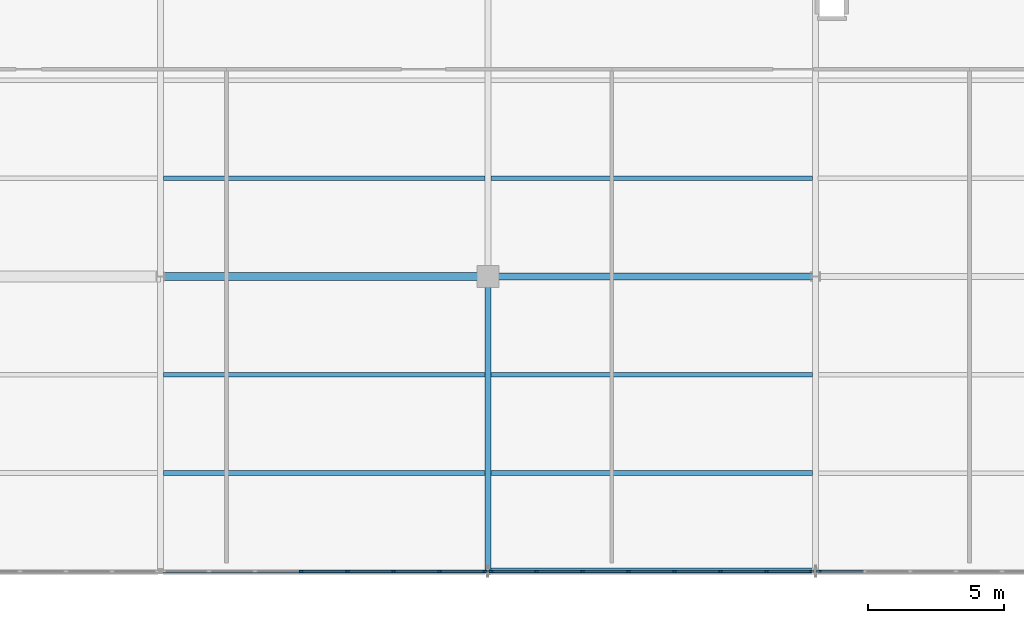
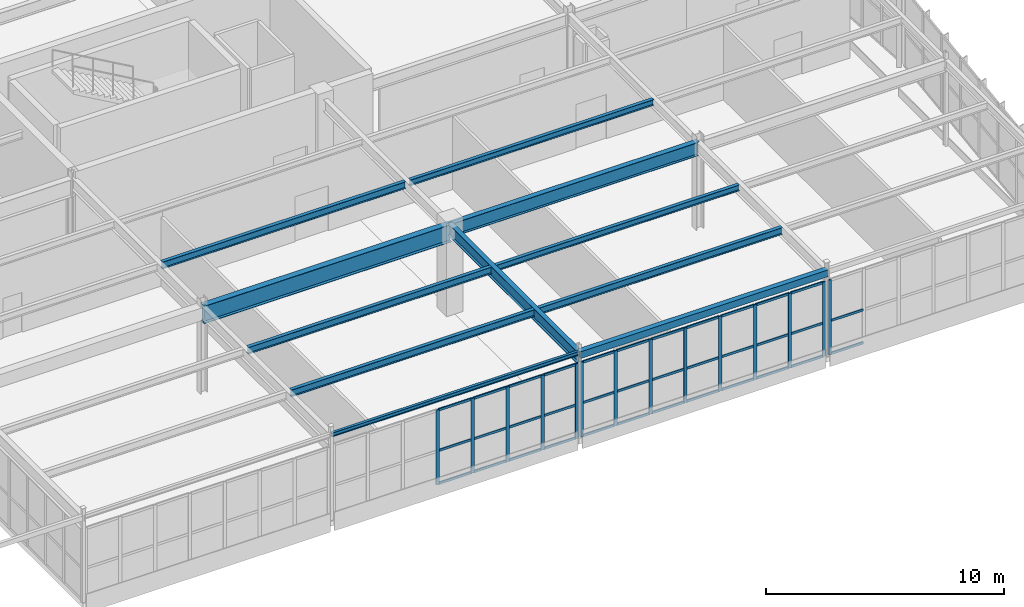
# One storey, part 110 of 226: 49 members, 11 beams, 3 elements without a shape of their own.
"""IFC4 building model written with IfcOpenShell, lengths in metres."""

import ifcopenshell
import ifcopenshell.guid

model = None  # the IFC model being written
_history = None  # IfcOwnerHistory: only IFC2X3 demands one
_inside = {}  # id of a spatial element -> (the spatial element, [elements in it])
_under = {}  # id of a project, library or spatial element -> (it, [spatial elements below it])
_declared = {}  # id of a project -> (the project, [libraries it declares])
_typed = {}  # id of a type object -> (the type object, [elements of that type])
_made_of = {}  # id of a material, layer set ... -> (it, [elements and type objects made of it])


def new_model(schema):
    """Start an empty IFC model of exactly this schema.

    Asked for "IFC4X3", IfcOpenShell would pick the latest addendum, in which some entities
    have other attributes; the version numbers below select the first issue.
    IFC2X3 requires an IfcOwnerHistory on every rooted entity: one is made here for all.
    """
    global model, _history
    if schema == "IFC4X3":
        model = ifcopenshell.file(schema_version=(4, 3, 0, 0))
    else:
        model = ifcopenshell.file(schema=schema)
    _inside.clear()
    _under.clear()
    _declared.clear()
    _typed.clear()
    _made_of.clear()
    _history = None
    if model.schema == "IFC2X3":
        org = make("IfcOrganization", Name="unknown")
        user = make(
            "IfcPersonAndOrganization",
            ThePerson=make("IfcPerson", FamilyName="unknown"),
            TheOrganization=org,
        )
        app = make(
            "IfcApplication",
            ApplicationDeveloper=org,
            Version="unknown",
            ApplicationFullName="unknown",
            ApplicationIdentifier="unknown",
        )
        _history = make(
            "IfcOwnerHistory",
            OwningUser=user,
            OwningApplication=app,
            ChangeAction="ADDED",
            CreationDate=0,
        )
    return model


def make(cls, **values):
    """One entity of the class cls with the attributes given. An attribute that is None is left unset."""
    return model.create_entity(
        cls, **{name: value for name, value in values.items() if value is not None}
    )


def rooted(cls, **values):
    """An entity with a GlobalId (a new one), such as an element, a storey or a relation."""
    return make(cls, GlobalId=ifcopenshell.guid.new(), OwnerHistory=_history, **values)


def si_unit(unit_type, name, prefix=None):
    """IfcSIUnit, for example si_unit("LENGTHUNIT", "METRE", prefix="MILLI")."""
    return make("IfcSIUnit", UnitType=unit_type, Prefix=prefix, Name=name)


def assignment(units):
    """IfcUnitAssignment: the units of a project."""
    return None if units is None else make("IfcUnitAssignment", Units=units)


def point(xyz):
    """IfcCartesianPoint."""
    return None if xyz is None else make("IfcCartesianPoint", Coordinates=xyz)


def direction(xyz):
    """IfcDirection."""
    return None if xyz is None else make("IfcDirection", DirectionRatios=xyz)


def frame(location, z_axis=None, x_axis=None):
    """IfcAxis2Placement3D, a coordinate frame: its origin and axes. An axis left out is left unset."""
    return make(
        "IfcAxis2Placement3D",
        Location=point(location),
        Axis=direction(z_axis),
        RefDirection=direction(x_axis),
    )


def frame_2d(location, x_axis=None):
    """IfcAxis2Placement2D, a coordinate frame in the plane: its origin and x axis."""
    return make(
        "IfcAxis2Placement2D", Location=point(location), RefDirection=direction(x_axis)
    )


def origin():
    """The frame at (0, 0, 0) with its axes left unset."""
    return frame((0.0, 0.0, 0.0))


def origin_2d():
    """The frame at (0, 0) in the plane with its x axis left unset."""
    return frame_2d((0.0, 0.0))


def place(relative_to, where):
    """IfcLocalPlacement: puts the frame where relative to a parent placement (None: the world)."""
    return make(
        "IfcLocalPlacement", PlacementRelTo=relative_to, RelativePlacement=where
    )


def context(
    kind, dimensions, precision=None, world=None, true_north=None, identifier=None
):
    """IfcGeometricRepresentationContext, for example the 3D "Model" context."""
    return make(
        "IfcGeometricRepresentationContext",
        ContextIdentifier=identifier,
        ContextType=kind,
        CoordinateSpaceDimension=dimensions,
        Precision=precision,
        WorldCoordinateSystem=world,
        TrueNorth=true_north,
    )


def subcontext(parent, identifier, kind, view, scale=None):
    """IfcGeometricRepresentationSubContext, for example "Body" below "Model"."""
    return make(
        "IfcGeometricRepresentationSubContext",
        ContextIdentifier=identifier,
        ContextType=kind,
        ParentContext=parent,
        TargetScale=scale,
        TargetView=view,
    )


def project(units=None, contexts=None):
    """IfcProject with its units and contexts."""
    return rooted(
        "IfcProject",
        Name="project",
        RepresentationContexts=contexts,
        UnitsInContext=assignment(units),
    )


def spatial(cls, under=None, at=None, **own):
    """A site, building, storey or space (cls), placed at a placement, below another one or the project."""
    s = rooted(cls, ObjectPlacement=at, **own)
    if under is not None:
        _under.setdefault(under.id(), (under, []))[1].append(s)
    return s


def profile(cls, at=None, kind="AREA", **sizes):
    """A parametric profile (cls). Its sizes go by their IFC names, for example OverallWidth=200.0."""
    return make(cls, ProfileType=kind, Position=at, **sizes)


def rectangle(**sizes):
    """IfcRectangleProfileDef."""
    return profile("IfcRectangleProfileDef", **sizes)


def hollow_rectangle(**sizes):
    """IfcRectangleHollowProfileDef."""
    return profile("IfcRectangleHollowProfileDef", **sizes)


def i_section(**sizes):
    """IfcIShapeProfileDef."""
    return profile("IfcIShapeProfileDef", **sizes)


def extrude(swept, where, along, depth):
    """IfcExtrudedAreaSolid: the profile swept, set in the frame where, extruded along a direction by depth."""
    return make(
        "IfcExtrudedAreaSolid",
        SweptArea=swept,
        Position=where,
        ExtrudedDirection=direction(along),
        Depth=depth,
    )


def shape(context_of_items, identifier, shape_type, items):
    """IfcShapeRepresentation: the items that make up one representation, for example the "Body"."""
    return make(
        "IfcShapeRepresentation",
        ContextOfItems=context_of_items,
        RepresentationIdentifier=identifier,
        RepresentationType=shape_type,
        Items=items,
    )


def material(Name=None, Category=None):
    """IfcMaterial."""
    return make("IfcMaterial", Name=Name, Category=Category)


def layer(
    of_material, thickness, ventilated=None, Name=None, Category=None, Priority=None
):
    """IfcMaterialLayer: one layer of a wall or slab, of a material (None: an air gap)."""
    return make(
        "IfcMaterialLayer",
        Material=of_material,
        LayerThickness=thickness,
        IsVentilated=ventilated,
        Name=Name,
        Category=Category,
        Priority=Priority,
    )


def layer_set(layers, Name=None):
    """IfcMaterialLayerSet."""
    return make("IfcMaterialLayerSet", MaterialLayers=layers, LayerSetName=Name)


def material_profile(
    of_material, cross_section, Name=None, Category=None, Priority=None
):
    """IfcMaterialProfile: a cross section and its material."""
    return make(
        "IfcMaterialProfile",
        Name=Name,
        Material=of_material,
        Profile=cross_section,
        Priority=Priority,
        Category=Category,
    )


def profile_set(profiles, Name=None, composite=None):
    """IfcMaterialProfileSet."""
    return make(
        "IfcMaterialProfileSet",
        Name=Name,
        MaterialProfiles=profiles,
        CompositeProfile=composite,
    )


def made_of(thing, what):
    """Note that an element or type object is made of a material, layer set ...; save() writes the relation."""
    if what is not None:
        _made_of.setdefault(what.id(), (what, []))[1].append(thing)
    return thing


def type_object(cls, material=None, **own):
    """A type object (cls), such as IfcWallType, which elements share."""
    return made_of(rooted(cls, **own), material)


def element(
    cls,
    number,
    at=None,
    inside=None,
    cuts=None,
    type_object=None,
    material=None,
    context=None,
    identifier="Body",
    shape_type=None,
    held_by="IfcProductDefinitionShape",
    body=None,
    shapes=None,
    **own,
):
    """One element of the class cls, such as IfcWall. Its Tag is "e" and its number.

    at: its placement. inside: the storey or other place that contains it. cuts: it is an
    opening in that element (IfcRelVoidsElement). A single representation is given by context,
    identifier, shape_type and body (its items); several are given by shapes. held_by: the class
    of the entity that holds the representations. save() writes the other relations.
    """
    e = rooted(cls, Tag="e%d" % number, ObjectPlacement=at, **own)
    if body is not None:
        shapes = [shape(context, identifier, shape_type, body)]
    if shapes is not None:
        e.Representation = make(held_by, Representations=shapes)
    if inside is not None:
        _inside.setdefault(inside.id(), (inside, []))[1].append(e)
    if cuts is not None:
        rooted(
            "IfcRelVoidsElement", RelatingBuildingElement=cuts, RelatedOpeningElement=e
        )
    if type_object is not None:
        _typed.setdefault(type_object.id(), (type_object, []))[1].append(e)
    return made_of(e, material)


def aggregate(whole, parts):
    """IfcRelAggregates: a whole, such as a stair, and the parts it consists of."""
    return rooted("IfcRelAggregates", RelatingObject=whole, RelatedObjects=parts)


def save(model, path):
    """Write the relations noted so far, then the file.

    IfcRelAggregates (storeys below a building ...), IfcRelContainedInSpatialStructure (elements
    in a storey), IfcRelDefinesByType, IfcRelAssociatesMaterial and IfcRelDeclares: one each for
    every whole, place, type object, material and project.
    """
    for whole, parts in _under.values():
        aggregate(whole, parts)
    for where, things in _inside.values():
        rooted(
            "IfcRelContainedInSpatialStructure",
            RelatedElements=things,
            RelatingStructure=where,
        )
    for kind, things in _typed.values():
        rooted("IfcRelDefinesByType", RelatedObjects=things, RelatingType=kind)
    for what, things in _made_of.values():
        rooted("IfcRelAssociatesMaterial", RelatedObjects=things, RelatingMaterial=what)
    for by, libraries in _declared.values():
        rooted("IfcRelDeclares", RelatingContext=by, RelatedDefinitions=libraries)
    model.write(path)


model = new_model("IFC4")

# Units and contexts
model_context = context("Model", 3, precision=1e-05, world=origin(), true_north=direction((0.0, 1.0)))
body_context = subcontext(model_context, "Body", "Model", "MODEL_VIEW")
ifc_project = project(units=[si_unit("LENGTHUNIT", "METRE"), si_unit("AREAUNIT", "SQUARE_METRE"), si_unit("VOLUMEUNIT", "CUBIC_METRE"), si_unit("PLANEANGLEUNIT", "RADIAN"), si_unit("MASSUNIT", "GRAM", prefix="KILO")], contexts=[model_context])

# Site, building, storey
site_placement = place(None, origin())
site = spatial("IfcSite", under=ifc_project, at=site_placement, CompositionType="ELEMENT")
building_placement = place(site_placement, origin())
building = spatial("IfcBuilding", under=site, at=building_placement, Name="Tarnwether General Hospital", CompositionType="ELEMENT")
storey_placement = place(building_placement, frame((0.0, 0.0, 4.800048828125)))
storey = spatial("IfcBuildingStorey", under=building, at=storey_placement, Name="L01", CompositionType="ELEMENT", Elevation=4.800048828125)

# Beams
ifc_material_1 = material(Name="Steel Grade 350 (350 MPa)", Category="steel")
ifc_material_profile_1 = material_profile(ifc_material_1, i_section(OverallWidth=0.300048828125, OverallDepth=0.89990234375, WebThickness=0.011962890625, FlangeThickness=0.02001953125, at=origin_2d()), Name="900WB175")
ifc_profile_set_1 = profile_set([ifc_material_profile_1], Name="Steel Grade 350 (350 MPa)")
beam_type_1 = type_object("IfcBeamType", Name="BM-G01", PredefinedType="BEAM", material=ifc_profile_set_1)
beam_1_placement = place(storey_placement, frame((156.0, 10.800048828125, 3.994873046875), z_axis=(1.0, 0.0, 0.0), x_axis=(0.0, 1.0, 0.0)))
element("IfcBeam", 1, at=beam_1_placement, inside=storey, type_object=beam_type_1, Name="Primary Girder BMG-L01-15600_1080-16800_1080-1233", PredefinedType="BEAM", context=body_context, shape_type="SweptSolid", body=[
    extrude(i_section(OverallWidth=0.300048828125, OverallDepth=0.89990234375, WebThickness=0.011962890625, FlangeThickness=0.02001953125, at=origin_2d()), origin(), (0.0, 0.0, 1.0), 12.0),
])
ifc_material_2 = material(Name="Steel Grade 350 (350 MPa)", Category="steel")
ifc_material_profile_2 = material_profile(ifc_material_2, i_section(OverallWidth=0.25, OverallDepth=0.69189453125, WebThickness=0.009033203125, FlangeThickness=0.01611328125, at=origin_2d()), Name="700WB115")
ifc_profile_set_2 = profile_set([ifc_material_profile_2], Name="Steel Grade 350 (350 MPa)")
beam_type_2 = type_object("IfcBeamType", Name="BM-G02", PredefinedType="BEAM", material=ifc_profile_set_2)
beam_2_placement = place(storey_placement, frame((168.0, 10.800048828125, 4.098876953125), z_axis=(1.0, 0.0, 0.0), x_axis=(0.0, 1.0, 0.0)))
element("IfcBeam", 2, at=beam_2_placement, inside=storey, type_object=beam_type_2, Name="Primary Girder BMG-L01-16800_1080-18000_1080-1251", PredefinedType="BEAM", context=body_context, shape_type="SweptSolid", body=[
    extrude(i_section(OverallWidth=0.25, OverallDepth=0.69189453125, WebThickness=0.009033203125, FlangeThickness=0.01611328125, at=origin_2d()), origin(), (0.0, 0.0, 1.0), 12.0),
])
ifc_material_3 = material(Name="Steel Grade 350 (350 MPa)", Category="steel")
ifc_material_profile_3 = material_profile(ifc_material_3, i_section(OverallWidth=0.22802734375, OverallDepth=0.60693359375, WebThickness=0.01123046875, FlangeThickness=0.017333984375, at=origin_2d()), Name="610UB113")
ifc_profile_set_3 = profile_set([ifc_material_profile_3], Name="Steel Grade 350 (350 MPa)")
beam_type_3 = type_object("IfcBeamType", Name="BM-G04", PredefinedType="BEAM", material=ifc_profile_set_3)
beam_3_placement = place(storey_placement, frame((168.0, 0.0, 4.141357421875), z_axis=(0.0, 1.0, 0.0), x_axis=(-1.0, 0.0, 0.0)))
element("IfcBeam", 3, at=beam_3_placement, inside=storey, type_object=beam_type_3, Name="Primary Girder BMG-L01-16800_0-16800_1080-1250", PredefinedType="BEAM", context=body_context, shape_type="SweptSolid", body=[
    extrude(i_section(OverallWidth=0.22802734375, OverallDepth=0.60693359375, WebThickness=0.01123046875, FlangeThickness=0.017333984375, at=origin_2d()), origin(), (0.0, 0.0, 1.0), 10.800048828125),
])
ifc_material_4 = material(Name="Steel Grade 350 (350 MPa)", Category="steel")
ifc_material_profile_4 = material_profile(ifc_material_4, i_section(OverallWidth=0.172119140625, OverallDepth=0.35888671875, WebThickness=0.008056640625, FlangeThickness=0.012939453125, at=origin_2d()), Name="360UB56.7")
ifc_profile_set_4 = profile_set([ifc_material_profile_4], Name="Steel Grade 350 (350 MPa)")
beam_type_4 = type_object("IfcBeamType", Name="BM-J03", PredefinedType="JOIST", material=ifc_profile_set_4)
beam_4_placement = place(storey_placement, frame((156.10791015625, 3.60009765625, 4.265380859375), z_axis=(1.0, 0.0, 0.0), x_axis=(0.0, 1.0, 0.0)))
element("IfcBeam", 4, at=beam_4_placement, inside=storey, type_object=beam_type_4, Name="Composite Floor Joist BMG-L01-15611_360-16789_360-1401", PredefinedType="JOIST", context=body_context, shape_type="SweptSolid", body=[
    extrude(i_section(OverallWidth=0.172119140625, OverallDepth=0.35888671875, WebThickness=0.008056640625, FlangeThickness=0.012939453125, at=origin_2d()), origin(), (0.0, 0.0, 1.0), 11.7841796875),
])
ifc_material_5 = material(Name="Steel Grade 350 (350 MPa)", Category="steel")
ifc_material_profile_5 = material_profile(ifc_material_5, i_section(OverallWidth=0.1708984375, OverallDepth=0.35595703125, WebThickness=0.00732421875, FlangeThickness=0.011474609375, at=origin_2d()), Name="360UB50.7")
ifc_profile_set_5 = profile_set([ifc_material_profile_5], Name="Steel Grade 350 (350 MPa)")
beam_type_5 = type_object("IfcBeamType", Name="BM-J04", PredefinedType="JOIST", material=ifc_profile_set_5)
for number, where, z_axis, x_axis, name in (
    (5, (156.10791015625, 7.199951171875, 4.266845703125), (1.0, 0.0, 0.0), (0.0, 1.0, 0.0), "Composite Floor Joist BMG-L01-15611_720-16789_720-1402"),
    (6, (156.10791015625, 14.39990234375, 4.266845703125), (1.0, 0.0, 0.0), (0.0, 1.0, 0.0), "Composite Floor Joist BMG-L01-15611_1440-16789_1440-1403"),
    (7, (168.10791015625, 3.60009765625, 4.266845703125), (1.0, 0.0, 0.0), (0.0, 1.0, 0.0), "Composite Floor Joist BMG-L01-16811_360-17989_360-1413"),
):
    element("IfcBeam", number, at=place(storey_placement, frame(where, z_axis=z_axis, x_axis=x_axis)), inside=storey, type_object=beam_type_5, Name=name, PredefinedType="JOIST", context=body_context, shape_type="SweptSolid", body=[
        extrude(i_section(OverallWidth=0.1708984375, OverallDepth=0.35595703125, WebThickness=0.00732421875, FlangeThickness=0.011474609375, at=origin_2d()), origin(), (0.0, 0.0, 1.0), 11.7841796875),
    ])
ifc_material_6 = material(Name="Steel Grade 350 (350 MPa)", Category="steel")
ifc_material_profile_6 = material_profile(ifc_material_6, i_section(OverallWidth=0.166015625, OverallDepth=0.306884765625, WebThickness=0.006591796875, FlangeThickness=0.01171875, at=origin_2d()), Name="310UB46.2")
ifc_profile_set_6 = profile_set([ifc_material_profile_6], Name="Steel Grade 350 (350 MPa)")
beam_type_6 = type_object("IfcBeamType", Name="BM-J05", PredefinedType="JOIST", material=ifc_profile_set_6)
beam_5_placement = place(storey_placement, frame((168.10791015625, 7.199951171875, 4.29150390625), z_axis=(1.0, 0.0, 0.0), x_axis=(0.0, 1.0, 0.0)))
element("IfcBeam", 8, at=beam_5_placement, inside=storey, type_object=beam_type_6, Name="Composite Floor Joist BMG-L01-16811_720-17989_720-1414", PredefinedType="JOIST", context=body_context, shape_type="SweptSolid", body=[
    extrude(i_section(OverallWidth=0.166015625, OverallDepth=0.306884765625, WebThickness=0.006591796875, FlangeThickness=0.01171875, at=origin_2d()), origin(), (0.0, 0.0, 1.0), 11.7841796875),
])
beam_6_placement = place(storey_placement, frame((168.10791015625, 14.39990234375, 4.29150390625), z_axis=(1.0, 0.0, 0.0), x_axis=(0.0, 1.0, 0.0)))
element("IfcBeam", 9, at=beam_6_placement, inside=storey, type_object=beam_type_6, Name="Composite Floor Joist BMG-L01-16811_1440-17990_1440-1415", PredefinedType="JOIST", context=body_context, shape_type="SweptSolid", body=[
    extrude(i_section(OverallWidth=0.166015625, OverallDepth=0.306884765625, WebThickness=0.006591796875, FlangeThickness=0.01171875, at=origin_2d()), origin(), (0.0, 0.0, 1.0), 11.79296875),
])
ifc_material_7 = material(Name="Steel Grade 350 (350 MPa)", Category="steel")
ifc_material_profile_7 = material_profile(ifc_material_7, i_section(OverallWidth=0.133056640625, OverallDepth=0.201904296875, WebThickness=0.0048828125, FlangeThickness=0.007080078125, at=origin_2d()), Name="200UB22.3")
ifc_profile_set_7 = profile_set([ifc_material_profile_7], Name="Steel Grade 350 (350 MPa)")
beam_type_7 = type_object("IfcBeamType", Name="BM-SP6", PredefinedType="SPANDREL", material=ifc_profile_set_7)
beam_7_placement = place(storey_placement, frame((156.0, 0.0, 4.343994140625), z_axis=(1.0, 0.0, 0.0), x_axis=(0.0, 1.0, 0.0)))
element("IfcBeam", 10, at=beam_7_placement, inside=storey, type_object=beam_type_7, Name="Primary Girder BMG-L01-15600_0-16800_0-1231", PredefinedType="SPANDREL", context=body_context, shape_type="SweptSolid", body=[
    extrude(i_section(OverallWidth=0.133056640625, OverallDepth=0.201904296875, WebThickness=0.0048828125, FlangeThickness=0.007080078125, at=origin_2d()), origin(), (0.0, 0.0, 1.0), 12.0),
])
ifc_material_8 = material(Name="Steel Grade C350L0 (350 MPa)", Category="steel")
ifc_material_profile_8 = material_profile(ifc_material_8, hollow_rectangle(XDim=0.25, YDim=0.35009765625, WallThickness=0.012451171875, at=origin_2d()), Name="RHS350x250x12.5")
ifc_profile_set_8 = profile_set([ifc_material_profile_8], Name="Steel Grade C350L0 (350 MPa)")
beam_type_8 = type_object("IfcBeamType", Name="BM-SP7", PredefinedType="SPANDREL", material=ifc_profile_set_8)
beam_8_placement = place(storey_placement, frame((168.0, 0.0, 4.27001953125), z_axis=(1.0, 0.0, 0.0), x_axis=(0.0, 1.0, 0.0)))
element("IfcBeam", 11, at=beam_8_placement, inside=storey, type_object=beam_type_8, Name="Primary Girder BMG-L01-16800_0-18000_0-1249", PredefinedType="SPANDREL", context=body_context, shape_type="SweptSolid", body=[
    extrude(hollow_rectangle(XDim=0.25, YDim=0.35009765625, WallThickness=0.012451171875, at=origin_2d()), origin(), (0.0, 0.0, 1.0), 12.0),
])

# Curtain wall, member
ifc_material_9 = material(Name="Anodised aluminium", Category="aluminium")
ifc_layer = layer(ifc_material_9, 0.159912109375)
ifc_layer_set = layer_set([ifc_layer], Name="Anodised aluminium")
curtain_wall_type = type_object("IfcCurtainWallType", Name="CW-19", PredefinedType="NOTDEFINED", material=ifc_layer_set)
curtain_wall_1_placement = place(storey_placement, origin())
curtain_wall_1 = element("IfcCurtainWall", 12, at=curtain_wall_1_placement, inside=storey, type_object=curtain_wall_type, Name="Curtain Wall CWG-L01-1919_0-0383", PredefinedType="NOTDEFINED")
ifc_material_10 = material(Name="Anodised aluminium", Category="aluminium")
ifc_material_profile_9 = material_profile(ifc_material_10, rectangle(XDim=0.06005859375, YDim=0.159912109375, at=origin_2d()), Name="ALU-MUL-60x160")
ifc_profile_set_9 = profile_set([ifc_material_profile_9], Name="Anodised aluminium")
member_type_1 = type_object("IfcMemberType", Name="CW-ML1", PredefinedType="MULLION", material=ifc_profile_set_9)
member_1_placement = place(storey_placement, frame((180.135009765625, 0.0, 0.0), z_axis=(0.0, 0.0, 1.0), x_axis=(0.0, -1.0, 0.0)))
member_1 = element("IfcMember", 13, at=member_1_placement, type_object=member_type_1, Name="CW-19 mullion 8", PredefinedType="MULLION", context=body_context, shape_type="SweptSolid", body=[
    extrude(rectangle(XDim=0.06005859375, YDim=0.159912109375, at=origin_2d()), origin(), (0.0, 0.0, 1.0), 3.827880859375),
])

# Curtain wall, members
curtain_wall_2_placement = place(storey_placement, origin())
curtain_wall_2 = element("IfcCurtainWall", 14, at=curtain_wall_2_placement, inside=storey, type_object=curtain_wall_type, Name="Curtain Wall CWG-L01-1799_0-0384", PredefinedType="NOTDEFINED")
member_2_placement = place(storey_placement, frame((179.864990234375, 0.0, 0.0), z_axis=(0.0, 0.0, 1.0), x_axis=(0.0, -1.0, 0.0)))
member_2 = element("IfcMember", 15, at=member_2_placement, type_object=member_type_1, Name="CW-19 mullion 1", PredefinedType="MULLION", context=body_context, shape_type="SweptSolid", body=[
    extrude(rectangle(XDim=0.06005859375, YDim=0.159912109375, at=origin_2d()), origin(), (0.0, 0.0, 1.0), 3.822998046875),
])
member_3_placement = place(storey_placement, frame((178.207763671875, 0.0, 0.0), z_axis=(0.0, 0.0, 1.0), x_axis=(0.0, -1.0, 0.0)))
member_3 = element("IfcMember", 16, at=member_3_placement, type_object=member_type_1, Name="CW-19 mullion 2", PredefinedType="MULLION", context=body_context, shape_type="SweptSolid", body=[
    extrude(rectangle(XDim=0.06005859375, YDim=0.159912109375, at=origin_2d()), origin(), (0.0, 0.0, 1.0), 3.822998046875),
])
member_4_placement = place(storey_placement, frame((176.5205078125, 0.0, 0.0), z_axis=(0.0, 0.0, 1.0), x_axis=(0.0, -1.0, 0.0)))
member_4 = element("IfcMember", 17, at=member_4_placement, type_object=member_type_1, Name="CW-19 mullion 3", PredefinedType="MULLION", context=body_context, shape_type="SweptSolid", body=[
    extrude(rectangle(XDim=0.06005859375, YDim=0.159912109375, at=origin_2d()), origin(), (0.0, 0.0, 1.0), 3.822998046875),
])
member_5_placement = place(storey_placement, frame((174.833251953125, 0.0, 0.0), z_axis=(0.0, 0.0, 1.0), x_axis=(0.0, -1.0, 0.0)))
member_5 = element("IfcMember", 18, at=member_5_placement, type_object=member_type_1, Name="CW-19 mullion 4", PredefinedType="MULLION", context=body_context, shape_type="SweptSolid", body=[
    extrude(rectangle(XDim=0.06005859375, YDim=0.159912109375, at=origin_2d()), origin(), (0.0, 0.0, 1.0), 3.822998046875),
])
member_6_placement = place(storey_placement, frame((173.145751953125, 0.0, 0.0), z_axis=(0.0, 0.0, 1.0), x_axis=(0.0, -1.0, 0.0)))
member_6 = element("IfcMember", 19, at=member_6_placement, type_object=member_type_1, Name="CW-19 mullion 5", PredefinedType="MULLION", context=body_context, shape_type="SweptSolid", body=[
    extrude(rectangle(XDim=0.06005859375, YDim=0.159912109375, at=origin_2d()), origin(), (0.0, 0.0, 1.0), 3.822998046875),
])
member_7_placement = place(storey_placement, frame((171.45849609375, 0.0, 0.0), z_axis=(0.0, 0.0, 1.0), x_axis=(0.0, -1.0, 0.0)))
member_7 = element("IfcMember", 20, at=member_7_placement, type_object=member_type_1, Name="CW-19 mullion 6", PredefinedType="MULLION", context=body_context, shape_type="SweptSolid", body=[
    extrude(rectangle(XDim=0.06005859375, YDim=0.159912109375, at=origin_2d()), origin(), (0.0, 0.0, 1.0), 3.822998046875),
])
member_8_placement = place(storey_placement, frame((169.771240234375, 0.0, 0.0), z_axis=(0.0, 0.0, 1.0), x_axis=(0.0, -1.0, 0.0)))
member_8 = element("IfcMember", 21, at=member_8_placement, type_object=member_type_1, Name="CW-19 mullion 7", PredefinedType="MULLION", context=body_context, shape_type="SweptSolid", body=[
    extrude(rectangle(XDim=0.06005859375, YDim=0.159912109375, at=origin_2d()), origin(), (0.0, 0.0, 1.0), 3.822998046875),
])
member_9_placement = place(storey_placement, frame((168.114013671875, 0.0, 0.0), z_axis=(0.0, 0.0, 1.0), x_axis=(0.0, -1.0, 0.0)))
member_9 = element("IfcMember", 22, at=member_9_placement, type_object=member_type_1, Name="CW-19 mullion 8", PredefinedType="MULLION", context=body_context, shape_type="SweptSolid", body=[
    extrude(rectangle(XDim=0.06005859375, YDim=0.159912109375, at=origin_2d()), origin(), (0.0, 0.0, 1.0), 3.822998046875),
])

curtain_wall_3_placement = place(storey_placement, origin())
curtain_wall_3 = element("IfcCurtainWall", 23, at=curtain_wall_3_placement, inside=storey, type_object=curtain_wall_type, Name="Curtain Wall CWG-L01-1679_0-0385", PredefinedType="NOTDEFINED")
member_10_placement = place(storey_placement, frame((167.885986328125, 0.0, 0.0), z_axis=(0.0, 0.0, 1.0), x_axis=(0.0, -1.0, 0.0)))
member_10 = element("IfcMember", 24, at=member_10_placement, type_object=member_type_1, Name="CW-19 mullion 1", PredefinedType="MULLION", context=body_context, shape_type="SweptSolid", body=[
    extrude(rectangle(XDim=0.06005859375, YDim=0.159912109375, at=origin_2d()), origin(), (0.0, 0.0, 1.0), 3.81787109375),
])
member_11_placement = place(storey_placement, frame((166.2255859375, 0.0, 0.0), z_axis=(0.0, 0.0, 1.0), x_axis=(0.0, -1.0, 0.0)))
member_11 = element("IfcMember", 25, at=member_11_placement, type_object=member_type_1, Name="CW-19 mullion 2", PredefinedType="MULLION", context=body_context, shape_type="SweptSolid", body=[
    extrude(rectangle(XDim=0.06005859375, YDim=0.159912109375, at=origin_2d()), origin(), (0.0, 0.0, 1.0), 3.81787109375),
])
member_12_placement = place(storey_placement, frame((164.53515625, 0.0, 0.0), z_axis=(0.0, 0.0, 1.0), x_axis=(0.0, -1.0, 0.0)))
member_12 = element("IfcMember", 26, at=member_12_placement, type_object=member_type_1, Name="CW-19 mullion 3", PredefinedType="MULLION", context=body_context, shape_type="SweptSolid", body=[
    extrude(rectangle(XDim=0.06005859375, YDim=0.159912109375, at=origin_2d()), origin(), (0.0, 0.0, 1.0), 3.81787109375),
])
member_13_placement = place(storey_placement, frame((162.8447265625, 0.0, 0.0), z_axis=(0.0, 0.0, 1.0), x_axis=(0.0, -1.0, 0.0)))
member_13 = element("IfcMember", 27, at=member_13_placement, type_object=member_type_1, Name="CW-19 mullion 4", PredefinedType="MULLION", context=body_context, shape_type="SweptSolid", body=[
    extrude(rectangle(XDim=0.06005859375, YDim=0.159912109375, at=origin_2d()), origin(), (0.0, 0.0, 1.0), 3.81787109375),
])
member_14_placement = place(storey_placement, frame((161.154296875, 0.0, 0.0), z_axis=(0.0, 0.0, 1.0), x_axis=(0.0, -1.0, 0.0)))
member_14 = element("IfcMember", 28, at=member_14_placement, type_object=member_type_1, Name="CW-19 mullion 5", PredefinedType="MULLION", context=body_context, shape_type="SweptSolid", body=[
    extrude(rectangle(XDim=0.06005859375, YDim=0.159912109375, at=origin_2d()), origin(), (0.0, 0.0, 1.0), 3.81787109375),
])

# Member
ifc_material_11 = material(Name="Anodised aluminium", Category="aluminium")
ifc_material_profile_10 = material_profile(ifc_material_11, rectangle(XDim=0.06005859375, YDim=0.1201171875, at=origin_2d()), Name="ALU-TRN-60x120")
ifc_profile_set_10 = profile_set([ifc_material_profile_10], Name="Anodised aluminium")
member_type_2 = type_object("IfcMemberType", Name="CW-TR1", PredefinedType="USERDEFINED", material=ifc_profile_set_10)
member_15_placement = place(storey_placement, frame((181.7587890625, 0.0, 0.030029296875), z_axis=(-1.0, 0.0, 0.0), x_axis=(0.0, -1.0, 0.0)))
member_15 = element("IfcMember", 29, at=member_15_placement, type_object=member_type_2, Name="CW-19 transom 7.1", ObjectType="TRANSOM", PredefinedType="USERDEFINED", context=body_context, shape_type="SweptSolid", body=[
    extrude(rectangle(XDim=0.06005859375, YDim=0.1201171875, at=origin_2d()), origin(), (0.0, 0.0, 1.0), 1.59375),
])

member_16_placement = place(storey_placement, frame((181.7587890625, 0.0, 1.72265625), z_axis=(-1.0, 0.0, 0.0), x_axis=(0.0, -1.0, 0.0)))
member_16 = element("IfcMember", 30, at=member_16_placement, type_object=member_type_2, Name="CW-19 transom 7.2", ObjectType="TRANSOM", PredefinedType="USERDEFINED", context=body_context, shape_type="SweptSolid", body=[
    extrude(rectangle(XDim=0.06005859375, YDim=0.1201171875, at=origin_2d()), origin(), (0.0, 0.0, 1.0), 1.59375),
])

aggregate(curtain_wall_1, [member_1, member_15, member_16])

member_17_placement = place(storey_placement, frame((179.8349609375, 0.0, 0.030029296875), z_axis=(-1.0, 0.0, 0.0), x_axis=(0.0, -1.0, 0.0)))
member_17 = element("IfcMember", 31, at=member_17_placement, type_object=member_type_2, Name="CW-19 transom 1.1", ObjectType="TRANSOM", PredefinedType="USERDEFINED", context=body_context, shape_type="SweptSolid", body=[
    extrude(rectangle(XDim=0.06005859375, YDim=0.1201171875, at=origin_2d()), origin(), (0.0, 0.0, 1.0), 1.59716796875),
])

member_18_placement = place(storey_placement, frame((179.8349609375, 0.0, 1.72021484375), z_axis=(-1.0, 0.0, 0.0), x_axis=(0.0, -1.0, 0.0)))
member_18 = element("IfcMember", 32, at=member_18_placement, type_object=member_type_2, Name="CW-19 transom 1.2", ObjectType="TRANSOM", PredefinedType="USERDEFINED", context=body_context, shape_type="SweptSolid", body=[
    extrude(rectangle(XDim=0.06005859375, YDim=0.1201171875, at=origin_2d()), origin(), (0.0, 0.0, 1.0), 1.59716796875),
])

member_19_placement = place(storey_placement, frame((179.8349609375, 0.0, 3.79296875), z_axis=(-1.0, 0.0, 0.0), x_axis=(0.0, -1.0, 0.0)))
member_19 = element("IfcMember", 33, at=member_19_placement, type_object=member_type_2, Name="CW-19 transom 1.3", ObjectType="TRANSOM", PredefinedType="USERDEFINED", context=body_context, shape_type="SweptSolid", body=[
    extrude(rectangle(XDim=0.06005859375, YDim=0.1201171875, at=origin_2d()), origin(), (0.0, 0.0, 1.0), 1.59716796875),
])

member_20_placement = place(storey_placement, frame((178.177734375, 0.0, 0.030029296875), z_axis=(-1.0, 0.0, 0.0), x_axis=(0.0, -1.0, 0.0)))
member_20 = element("IfcMember", 34, at=member_20_placement, type_object=member_type_2, Name="CW-19 transom 2.1", ObjectType="TRANSOM", PredefinedType="USERDEFINED", context=body_context, shape_type="SweptSolid", body=[
    extrude(rectangle(XDim=0.06005859375, YDim=0.1201171875, at=origin_2d()), origin(), (0.0, 0.0, 1.0), 1.627197265625),
])

member_21_placement = place(storey_placement, frame((178.177734375, 0.0, 1.72021484375), z_axis=(-1.0, 0.0, 0.0), x_axis=(0.0, -1.0, 0.0)))
member_21 = element("IfcMember", 35, at=member_21_placement, type_object=member_type_2, Name="CW-19 transom 2.2", ObjectType="TRANSOM", PredefinedType="USERDEFINED", context=body_context, shape_type="SweptSolid", body=[
    extrude(rectangle(XDim=0.06005859375, YDim=0.1201171875, at=origin_2d()), origin(), (0.0, 0.0, 1.0), 1.627197265625),
])

member_22_placement = place(storey_placement, frame((178.177734375, 0.0, 3.79296875), z_axis=(-1.0, 0.0, 0.0), x_axis=(0.0, -1.0, 0.0)))
member_22 = element("IfcMember", 36, at=member_22_placement, type_object=member_type_2, Name="CW-19 transom 2.3", ObjectType="TRANSOM", PredefinedType="USERDEFINED", context=body_context, shape_type="SweptSolid", body=[
    extrude(rectangle(XDim=0.06005859375, YDim=0.1201171875, at=origin_2d()), origin(), (0.0, 0.0, 1.0), 1.627197265625),
])

member_23_placement = place(storey_placement, frame((176.490478515625, 0.0, 0.030029296875), z_axis=(-1.0, 0.0, 0.0), x_axis=(0.0, -1.0, 0.0)))
member_23 = element("IfcMember", 37, at=member_23_placement, type_object=member_type_2, Name="CW-19 transom 3.1", ObjectType="TRANSOM", PredefinedType="USERDEFINED", context=body_context, shape_type="SweptSolid", body=[
    extrude(rectangle(XDim=0.06005859375, YDim=0.1201171875, at=origin_2d()), origin(), (0.0, 0.0, 1.0), 1.62744140625),
])

member_24_placement = place(storey_placement, frame((176.490478515625, 0.0, 1.72021484375), z_axis=(-1.0, 0.0, 0.0), x_axis=(0.0, -1.0, 0.0)))
member_24 = element("IfcMember", 38, at=member_24_placement, type_object=member_type_2, Name="CW-19 transom 3.2", ObjectType="TRANSOM", PredefinedType="USERDEFINED", context=body_context, shape_type="SweptSolid", body=[
    extrude(rectangle(XDim=0.06005859375, YDim=0.1201171875, at=origin_2d()), origin(), (0.0, 0.0, 1.0), 1.62744140625),
])

member_25_placement = place(storey_placement, frame((176.490478515625, 0.0, 3.79296875), z_axis=(-1.0, 0.0, 0.0), x_axis=(0.0, -1.0, 0.0)))
member_25 = element("IfcMember", 39, at=member_25_placement, type_object=member_type_2, Name="CW-19 transom 3.3", ObjectType="TRANSOM", PredefinedType="USERDEFINED", context=body_context, shape_type="SweptSolid", body=[
    extrude(rectangle(XDim=0.06005859375, YDim=0.1201171875, at=origin_2d()), origin(), (0.0, 0.0, 1.0), 1.62744140625),
])

member_26_placement = place(storey_placement, frame((174.80322265625, 0.0, 0.030029296875), z_axis=(-1.0, 0.0, 0.0), x_axis=(0.0, -1.0, 0.0)))
member_26 = element("IfcMember", 40, at=member_26_placement, type_object=member_type_2, Name="CW-19 transom 4.1", ObjectType="TRANSOM", PredefinedType="USERDEFINED", context=body_context, shape_type="SweptSolid", body=[
    extrude(rectangle(XDim=0.06005859375, YDim=0.1201171875, at=origin_2d()), origin(), (0.0, 0.0, 1.0), 1.62744140625),
])

member_27_placement = place(storey_placement, frame((174.80322265625, 0.0, 1.72021484375), z_axis=(-1.0, 0.0, 0.0), x_axis=(0.0, -1.0, 0.0)))
member_27 = element("IfcMember", 41, at=member_27_placement, type_object=member_type_2, Name="CW-19 transom 4.2", ObjectType="TRANSOM", PredefinedType="USERDEFINED", context=body_context, shape_type="SweptSolid", body=[
    extrude(rectangle(XDim=0.06005859375, YDim=0.1201171875, at=origin_2d()), origin(), (0.0, 0.0, 1.0), 1.62744140625),
])

member_28_placement = place(storey_placement, frame((174.80322265625, 0.0, 3.79296875), z_axis=(-1.0, 0.0, 0.0), x_axis=(0.0, -1.0, 0.0)))
member_28 = element("IfcMember", 42, at=member_28_placement, type_object=member_type_2, Name="CW-19 transom 4.3", ObjectType="TRANSOM", PredefinedType="USERDEFINED", context=body_context, shape_type="SweptSolid", body=[
    extrude(rectangle(XDim=0.06005859375, YDim=0.1201171875, at=origin_2d()), origin(), (0.0, 0.0, 1.0), 1.62744140625),
])

member_29_placement = place(storey_placement, frame((173.115966796875, 0.0, 0.030029296875), z_axis=(-1.0, 0.0, 0.0), x_axis=(0.0, -1.0, 0.0)))
member_29 = element("IfcMember", 43, at=member_29_placement, type_object=member_type_2, Name="CW-19 transom 5.1", ObjectType="TRANSOM", PredefinedType="USERDEFINED", context=body_context, shape_type="SweptSolid", body=[
    extrude(rectangle(XDim=0.06005859375, YDim=0.1201171875, at=origin_2d()), origin(), (0.0, 0.0, 1.0), 1.62744140625),
])

member_30_placement = place(storey_placement, frame((173.115966796875, 0.0, 1.72021484375), z_axis=(-1.0, 0.0, 0.0), x_axis=(0.0, -1.0, 0.0)))
member_30 = element("IfcMember", 44, at=member_30_placement, type_object=member_type_2, Name="CW-19 transom 5.2", ObjectType="TRANSOM", PredefinedType="USERDEFINED", context=body_context, shape_type="SweptSolid", body=[
    extrude(rectangle(XDim=0.06005859375, YDim=0.1201171875, at=origin_2d()), origin(), (0.0, 0.0, 1.0), 1.62744140625),
])

member_31_placement = place(storey_placement, frame((173.115966796875, 0.0, 3.79296875), z_axis=(-1.0, 0.0, 0.0), x_axis=(0.0, -1.0, 0.0)))
member_31 = element("IfcMember", 45, at=member_31_placement, type_object=member_type_2, Name="CW-19 transom 5.3", ObjectType="TRANSOM", PredefinedType="USERDEFINED", context=body_context, shape_type="SweptSolid", body=[
    extrude(rectangle(XDim=0.06005859375, YDim=0.1201171875, at=origin_2d()), origin(), (0.0, 0.0, 1.0), 1.62744140625),
])

member_32_placement = place(storey_placement, frame((171.428466796875, 0.0, 0.030029296875), z_axis=(-1.0, 0.0, 0.0), x_axis=(0.0, -1.0, 0.0)))
member_32 = element("IfcMember", 46, at=member_32_placement, type_object=member_type_2, Name="CW-19 transom 6.1", ObjectType="TRANSOM", PredefinedType="USERDEFINED", context=body_context, shape_type="SweptSolid", body=[
    extrude(rectangle(XDim=0.06005859375, YDim=0.1201171875, at=origin_2d()), origin(), (0.0, 0.0, 1.0), 1.627197265625),
])

member_33_placement = place(storey_placement, frame((171.428466796875, 0.0, 1.72021484375), z_axis=(-1.0, 0.0, 0.0), x_axis=(0.0, -1.0, 0.0)))
member_33 = element("IfcMember", 47, at=member_33_placement, type_object=member_type_2, Name="CW-19 transom 6.2", ObjectType="TRANSOM", PredefinedType="USERDEFINED", context=body_context, shape_type="SweptSolid", body=[
    extrude(rectangle(XDim=0.06005859375, YDim=0.1201171875, at=origin_2d()), origin(), (0.0, 0.0, 1.0), 1.627197265625),
])

member_34_placement = place(storey_placement, frame((171.428466796875, 0.0, 3.79296875), z_axis=(-1.0, 0.0, 0.0), x_axis=(0.0, -1.0, 0.0)))
member_34 = element("IfcMember", 48, at=member_34_placement, type_object=member_type_2, Name="CW-19 transom 6.3", ObjectType="TRANSOM", PredefinedType="USERDEFINED", context=body_context, shape_type="SweptSolid", body=[
    extrude(rectangle(XDim=0.06005859375, YDim=0.1201171875, at=origin_2d()), origin(), (0.0, 0.0, 1.0), 1.627197265625),
])

member_35_placement = place(storey_placement, frame((169.7412109375, 0.0, 0.030029296875), z_axis=(-1.0, 0.0, 0.0), x_axis=(0.0, -1.0, 0.0)))
member_35 = element("IfcMember", 49, at=member_35_placement, type_object=member_type_2, Name="CW-19 transom 7.1", ObjectType="TRANSOM", PredefinedType="USERDEFINED", context=body_context, shape_type="SweptSolid", body=[
    extrude(rectangle(XDim=0.06005859375, YDim=0.1201171875, at=origin_2d()), origin(), (0.0, 0.0, 1.0), 1.59716796875),
])

member_36_placement = place(storey_placement, frame((169.7412109375, 0.0, 1.72021484375), z_axis=(-1.0, 0.0, 0.0), x_axis=(0.0, -1.0, 0.0)))
member_36 = element("IfcMember", 50, at=member_36_placement, type_object=member_type_2, Name="CW-19 transom 7.2", ObjectType="TRANSOM", PredefinedType="USERDEFINED", context=body_context, shape_type="SweptSolid", body=[
    extrude(rectangle(XDim=0.06005859375, YDim=0.1201171875, at=origin_2d()), origin(), (0.0, 0.0, 1.0), 1.59716796875),
])

member_37_placement = place(storey_placement, frame((169.7412109375, 0.0, 3.79296875), z_axis=(-1.0, 0.0, 0.0), x_axis=(0.0, -1.0, 0.0)))
member_37 = element("IfcMember", 51, at=member_37_placement, type_object=member_type_2, Name="CW-19 transom 7.3", ObjectType="TRANSOM", PredefinedType="USERDEFINED", context=body_context, shape_type="SweptSolid", body=[
    extrude(rectangle(XDim=0.06005859375, YDim=0.1201171875, at=origin_2d()), origin(), (0.0, 0.0, 1.0), 1.59716796875),
])

aggregate(curtain_wall_2, [member_2, member_3, member_4, member_5, member_6, member_7, member_8, member_9, member_17, member_18, member_19, member_20, member_21, member_22, member_23, member_24, member_25, member_26, member_27, member_28, member_29, member_30, member_31, member_32, member_33, member_34, member_35, member_36, member_37])

member_38_placement = place(storey_placement, frame((167.85595703125, 0.0, 0.030029296875), z_axis=(-1.0, 0.0, 0.0), x_axis=(0.0, -1.0, 0.0)))
member_38 = element("IfcMember", 52, at=member_38_placement, type_object=member_type_2, Name="CW-19 transom 1.1", ObjectType="TRANSOM", PredefinedType="USERDEFINED", context=body_context, shape_type="SweptSolid", body=[
    extrude(rectangle(XDim=0.06005859375, YDim=0.1201171875, at=origin_2d()), origin(), (0.0, 0.0, 1.0), 1.600341796875),
])

member_39_placement = place(storey_placement, frame((167.85595703125, 0.0, 1.718017578125), z_axis=(-1.0, 0.0, 0.0), x_axis=(0.0, -1.0, 0.0)))
member_39 = element("IfcMember", 53, at=member_39_placement, type_object=member_type_2, Name="CW-19 transom 1.2", ObjectType="TRANSOM", PredefinedType="USERDEFINED", context=body_context, shape_type="SweptSolid", body=[
    extrude(rectangle(XDim=0.06005859375, YDim=0.1201171875, at=origin_2d()), origin(), (0.0, 0.0, 1.0), 1.600341796875),
])

member_40_placement = place(storey_placement, frame((167.85595703125, 0.0, 3.787841796875), z_axis=(-1.0, 0.0, 0.0), x_axis=(0.0, -1.0, 0.0)))
member_40 = element("IfcMember", 54, at=member_40_placement, type_object=member_type_2, Name="CW-19 transom 1.3", ObjectType="TRANSOM", PredefinedType="USERDEFINED", context=body_context, shape_type="SweptSolid", body=[
    extrude(rectangle(XDim=0.06005859375, YDim=0.1201171875, at=origin_2d()), origin(), (0.0, 0.0, 1.0), 1.600341796875),
])

member_41_placement = place(storey_placement, frame((166.195556640625, 0.0, 0.030029296875), z_axis=(-1.0, 0.0, 0.0), x_axis=(0.0, -1.0, 0.0)))
member_41 = element("IfcMember", 55, at=member_41_placement, type_object=member_type_2, Name="CW-19 transom 2.1", ObjectType="TRANSOM", PredefinedType="USERDEFINED", context=body_context, shape_type="SweptSolid", body=[
    extrude(rectangle(XDim=0.06005859375, YDim=0.1201171875, at=origin_2d()), origin(), (0.0, 0.0, 1.0), 1.63037109375),
])

member_42_placement = place(storey_placement, frame((166.195556640625, 0.0, 1.718017578125), z_axis=(-1.0, 0.0, 0.0), x_axis=(0.0, -1.0, 0.0)))
member_42 = element("IfcMember", 56, at=member_42_placement, type_object=member_type_2, Name="CW-19 transom 2.2", ObjectType="TRANSOM", PredefinedType="USERDEFINED", context=body_context, shape_type="SweptSolid", body=[
    extrude(rectangle(XDim=0.06005859375, YDim=0.1201171875, at=origin_2d()), origin(), (0.0, 0.0, 1.0), 1.63037109375),
])

member_43_placement = place(storey_placement, frame((166.195556640625, 0.0, 3.787841796875), z_axis=(-1.0, 0.0, 0.0), x_axis=(0.0, -1.0, 0.0)))
member_43 = element("IfcMember", 57, at=member_43_placement, type_object=member_type_2, Name="CW-19 transom 2.3", ObjectType="TRANSOM", PredefinedType="USERDEFINED", context=body_context, shape_type="SweptSolid", body=[
    extrude(rectangle(XDim=0.06005859375, YDim=0.1201171875, at=origin_2d()), origin(), (0.0, 0.0, 1.0), 1.63037109375),
])

member_44_placement = place(storey_placement, frame((164.505126953125, 0.0, 0.030029296875), z_axis=(-1.0, 0.0, 0.0), x_axis=(0.0, -1.0, 0.0)))
member_44 = element("IfcMember", 58, at=member_44_placement, type_object=member_type_2, Name="CW-19 transom 3.1", ObjectType="TRANSOM", PredefinedType="USERDEFINED", context=body_context, shape_type="SweptSolid", body=[
    extrude(rectangle(XDim=0.06005859375, YDim=0.1201171875, at=origin_2d()), origin(), (0.0, 0.0, 1.0), 1.63037109375),
])

member_45_placement = place(storey_placement, frame((164.505126953125, 0.0, 1.718017578125), z_axis=(-1.0, 0.0, 0.0), x_axis=(0.0, -1.0, 0.0)))
member_45 = element("IfcMember", 59, at=member_45_placement, type_object=member_type_2, Name="CW-19 transom 3.2", ObjectType="TRANSOM", PredefinedType="USERDEFINED", context=body_context, shape_type="SweptSolid", body=[
    extrude(rectangle(XDim=0.06005859375, YDim=0.1201171875, at=origin_2d()), origin(), (0.0, 0.0, 1.0), 1.63037109375),
])

member_46_placement = place(storey_placement, frame((164.505126953125, 0.0, 3.787841796875), z_axis=(-1.0, 0.0, 0.0), x_axis=(0.0, -1.0, 0.0)))
member_46 = element("IfcMember", 60, at=member_46_placement, type_object=member_type_2, Name="CW-19 transom 3.3", ObjectType="TRANSOM", PredefinedType="USERDEFINED", context=body_context, shape_type="SweptSolid", body=[
    extrude(rectangle(XDim=0.06005859375, YDim=0.1201171875, at=origin_2d()), origin(), (0.0, 0.0, 1.0), 1.63037109375),
])

member_47_placement = place(storey_placement, frame((162.814697265625, 0.0, 0.030029296875), z_axis=(-1.0, 0.0, 0.0), x_axis=(0.0, -1.0, 0.0)))
member_47 = element("IfcMember", 61, at=member_47_placement, type_object=member_type_2, Name="CW-19 transom 4.1", ObjectType="TRANSOM", PredefinedType="USERDEFINED", context=body_context, shape_type="SweptSolid", body=[
    extrude(rectangle(XDim=0.06005859375, YDim=0.1201171875, at=origin_2d()), origin(), (0.0, 0.0, 1.0), 1.63037109375),
])

member_48_placement = place(storey_placement, frame((162.814697265625, 0.0, 1.718017578125), z_axis=(-1.0, 0.0, 0.0), x_axis=(0.0, -1.0, 0.0)))
member_48 = element("IfcMember", 62, at=member_48_placement, type_object=member_type_2, Name="CW-19 transom 4.2", ObjectType="TRANSOM", PredefinedType="USERDEFINED", context=body_context, shape_type="SweptSolid", body=[
    extrude(rectangle(XDim=0.06005859375, YDim=0.1201171875, at=origin_2d()), origin(), (0.0, 0.0, 1.0), 1.63037109375),
])

member_49_placement = place(storey_placement, frame((162.814697265625, 0.0, 3.787841796875), z_axis=(-1.0, 0.0, 0.0), x_axis=(0.0, -1.0, 0.0)))
member_49 = element("IfcMember", 63, at=member_49_placement, type_object=member_type_2, Name="CW-19 transom 4.3", ObjectType="TRANSOM", PredefinedType="USERDEFINED", context=body_context, shape_type="SweptSolid", body=[
    extrude(rectangle(XDim=0.06005859375, YDim=0.1201171875, at=origin_2d()), origin(), (0.0, 0.0, 1.0), 1.63037109375),
])

aggregate(curtain_wall_3, [member_10, member_11, member_12, member_13, member_14, member_38, member_39, member_40, member_41, member_42, member_43, member_44, member_45, member_46, member_47, member_48, member_49])

save(model, "model.ifc")
